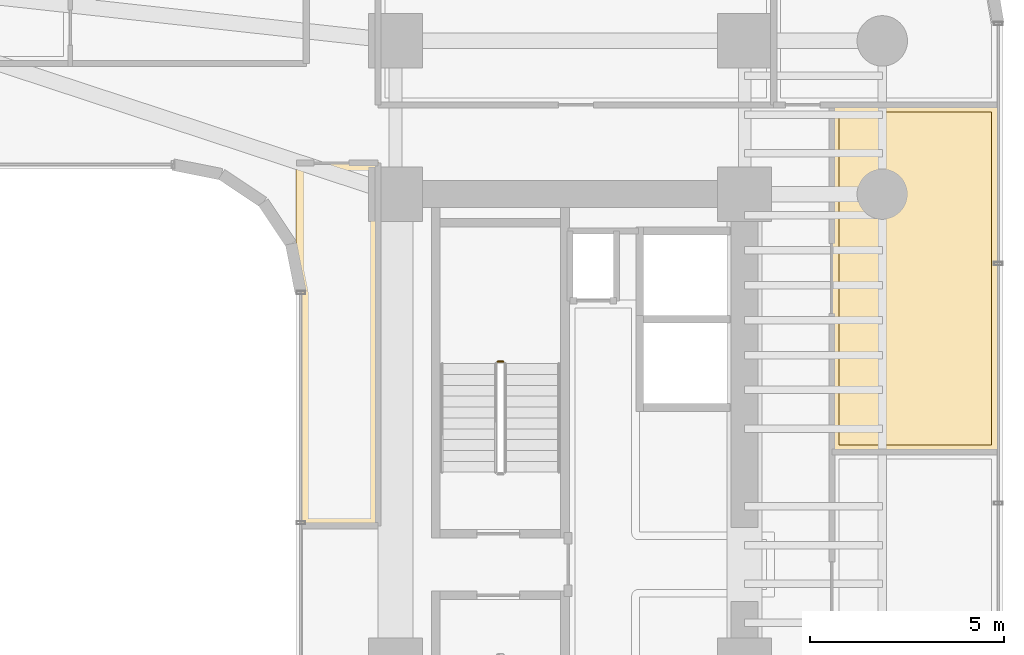
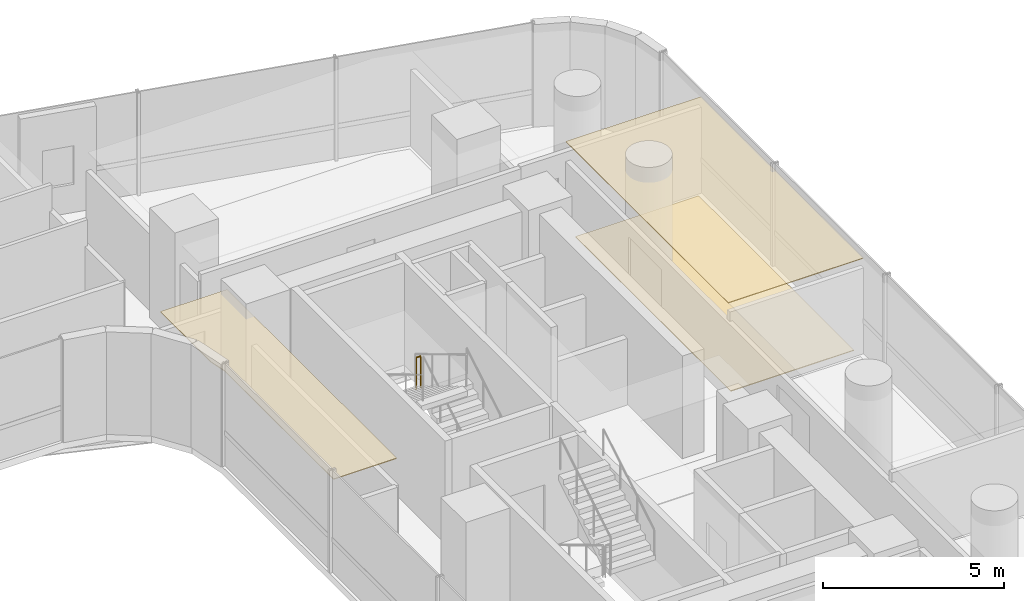
# One storey, part 39 of 41: 3 coverings, 1 railing.
"""IFC4 building model written with IfcOpenShell, lengths in metres."""

from ifc_helpers import new_model, si_unit, direction, frame, origin, origin_2d, place, context, subcontext, project, spatial, polyline, circle, outline, extrude, material, layer, layer_set, type_object, element, save


model = new_model("IFC4")

# Units and contexts
model_context = context("Model", 3, precision=1e-05, world=origin(), true_north=direction((0.0, 1.0)))
body_context = subcontext(model_context, "Body", "Model", "MODEL_VIEW")
ifc_project = project(units=[si_unit("LENGTHUNIT", "METRE"), si_unit("AREAUNIT", "SQUARE_METRE"), si_unit("VOLUMEUNIT", "CUBIC_METRE"), si_unit("PLANEANGLEUNIT", "RADIAN"), si_unit("MASSUNIT", "GRAM", prefix="KILO")], contexts=[model_context])

# Site, building, storey
site_placement = place(None, origin())
site = spatial("IfcSite", under=ifc_project, at=site_placement, CompositionType="ELEMENT")
building_placement = place(site_placement, origin())
building = spatial("IfcBuilding", under=site, at=building_placement, Name="Valdorenza Pilgrim Sanctuary Tower", CompositionType="ELEMENT")
storey_placement = place(building_placement, frame((0.0, 0.0, 59.300048828125)))
storey = spatial("IfcBuildingStorey", under=building, at=storey_placement, Name="L14", CompositionType="ELEMENT", Elevation=59.300048828125)

# Coverings
ifc_material_1 = material(Name="Micro-perforated acoustic mineral ceiling tile", Category="gypsum")
ifc_layer_1 = layer(ifc_material_1, 0.02490234375, Name="Micro-perforated acoustic mineral ceiling tile")
ifc_layer_set_1 = layer_set([ifc_layer_1], Name="Micro-perforated acoustic mineral ceiling tile")
covering_type_1 = type_object("IfcCoveringType", Name="COV-CLG-ACU", PredefinedType="CEILING", material=ifc_layer_set_1)
covering_1_placement = place(storey_placement, frame((0.0, 0.0, 3.159912109375)))
element("IfcCovering", 1, at=covering_1_placement, inside=storey, type_object=covering_type_1, Name="L14 East Reading Lounge L14-EB3 Acoustic Ceiling", PredefinedType="CEILING", context=body_context, shape_type="SweptSolid", body=[
    extrude(outline(polyline([(27.0849609375, 11.847900390625), (27.085205078125, 11.849609375), (27.085205078125, 11.850830078125), (27.085693359375, 11.852294921875), (27.086181640625, 11.853759765625), (27.0869140625, 11.85498046875), (27.08740234375, 11.856201171875), (27.08837890625, 11.857421875), (27.08935546875, 11.858642578125), (27.090576171875, 11.859619140625), (27.091796875, 11.860595703125), (27.093017578125, 11.861083984375), (27.09423828125, 11.86181640625), (27.095703125, 11.8623046875), (27.09716796875, 11.86279296875), (27.098388671875, 11.86279296875), (27.10009765625, 11.863037109375), (31.389892578125, 11.863037109375), (31.3916015625, 11.86279296875), (31.392822265625, 11.86279296875), (31.394287109375, 11.8623046875), (31.395751953125, 11.86181640625), (31.397216796875, 11.861083984375), (31.398193359375, 11.860595703125), (31.3994140625, 11.859619140625), (31.400634765625, 11.858642578125), (31.401611328125, 11.857421875), (31.402587890625, 11.856201171875), (31.4033203125, 11.85498046875), (31.40380859375, 11.853759765625), (31.404296875, 11.852294921875), (31.40478515625, 11.850830078125), (31.40478515625, 11.849609375), (31.405029296875, 11.847900390625), (31.405029296875, 2.902099609375), (31.40478515625, 2.900390625), (31.40478515625, 2.899169921875), (31.404296875, 2.897705078125), (31.40380859375, 2.896240234375), (31.4033203125, 2.89501953125), (31.402587890625, 2.893798828125), (31.401611328125, 2.892578125), (31.400634765625, 2.891357421875), (31.3994140625, 2.890380859375), (31.398193359375, 2.889404296875), (31.397216796875, 2.888916015625), (31.395751953125, 2.88818359375), (31.394287109375, 2.8876953125), (31.392822265625, 2.88720703125), (31.3916015625, 2.88720703125), (31.389892578125, 2.886962890625), (27.10009765625, 2.886962890625), (27.098388671875, 2.88720703125), (27.09716796875, 2.88720703125), (27.095703125, 2.8876953125), (27.09423828125, 2.88818359375), (27.093017578125, 2.888916015625), (27.091796875, 2.889404296875), (27.090576171875, 2.890380859375), (27.08935546875, 2.891357421875), (27.08837890625, 2.892578125), (27.08740234375, 2.893798828125), (27.0869140625, 2.89501953125), (27.086181640625, 2.896240234375), (27.085693359375, 2.897705078125), (27.085205078125, 2.899169921875), (27.085205078125, 2.900390625), (27.0849609375, 2.902099609375), (27.0849609375, 11.847900390625)])), origin(), (0.0, 0.0, 1.0), 0.025146484375),
])
covering_2_placement = place(storey_placement, frame((0.0, 0.0, 3.159912109375)))
element("IfcCovering", 2, at=covering_2_placement, inside=storey, type_object=covering_type_1, Name="L14 Courtyard Overlook Salon L14 Acoustic Ceiling", PredefinedType="CEILING", context=body_context, shape_type="SweptSolid", body=[
    extrude(outline(polyline([(15.39990234375, 10.364990234375), (15.401611328125, 10.364990234375), (15.40283203125, 10.36474609375), (15.404296875, 10.364501953125), (15.40576171875, 10.364013671875), (15.406982421875, 10.36328125), (15.408203125, 10.362548828125), (15.409423828125, 10.361572265625), (15.41064453125, 10.360595703125), (15.41162109375, 10.359619140625), (15.41259765625, 10.3583984375), (15.4130859375, 10.357177734375), (15.413818359375, 10.355712890625), (15.414306640625, 10.3544921875), (15.414794921875, 10.352783203125), (15.414794921875, 10.3515625), (15.4150390625, 10.35009765625), (15.4150390625, 1.0), (15.414794921875, 0.99853515625), (15.414794921875, 0.9970703125), (15.414306640625, 0.99560546875), (15.413818359375, 0.994384765625), (15.4130859375, 0.992919921875), (15.41259765625, 0.99169921875), (15.41162109375, 0.990478515625), (15.41064453125, 0.989501953125), (15.409423828125, 0.98828125), (15.408203125, 0.987548828125), (15.406982421875, 0.98681640625), (15.40576171875, 0.986083984375), (15.404296875, 0.985595703125), (15.40283203125, 0.9853515625), (15.401611328125, 0.985107421875), (15.39990234375, 0.985107421875), (13.409912109375, 0.985107421875), (13.408447265625, 0.985107421875), (13.406982421875, 0.9853515625), (13.405517578125, 0.985595703125), (13.404296875, 0.986083984375), (13.40283203125, 0.98681640625), (13.401611328125, 0.987548828125), (13.400390625, 0.98828125), (13.3994140625, 0.989501953125), (13.3984375, 0.990478515625), (13.3974609375, 0.99169921875), (13.396728515625, 0.992919921875), (13.39599609375, 0.994384765625), (13.3955078125, 0.99560546875), (13.395263671875, 0.9970703125), (13.39501953125, 0.99853515625), (13.39501953125, 1.0), (13.39501953125, 6.99951171875), (13.39453125, 7.00927734375), (13.39306640625, 7.018798828125), (13.285400390625, 7.560791015625), (13.28515625, 7.562255859375), (13.284912109375, 7.563720703125), (13.284912109375, 10.35009765625), (13.28515625, 10.3515625), (13.285400390625, 10.352783203125), (13.28564453125, 10.3544921875), (13.2861328125, 10.355712890625), (13.286865234375, 10.357177734375), (13.28759765625, 10.3583984375), (13.288330078125, 10.359619140625), (13.289306640625, 10.360595703125), (13.29052734375, 10.361572265625), (13.291748046875, 10.362548828125), (13.29296875, 10.36328125), (13.294189453125, 10.364013671875), (13.295654296875, 10.364501953125), (13.297119140625, 10.36474609375), (13.298583984375, 10.364990234375), (13.300048828125, 10.364990234375), (15.39990234375, 10.364990234375)])), origin(), (0.0, 0.0, 1.0), 0.025146484375),
])
ifc_material_2 = material(Name="Honed travertine stone flooring", Category="masonry")
ifc_layer_2 = layer(ifc_material_2, 0.030029296875, Name="Honed travertine stone flooring")
ifc_layer_set_2 = layer_set([ifc_layer_2], Name="Honed travertine stone flooring")
covering_type_2 = type_object("IfcCoveringType", Name="COV-FLR-TRV", PredefinedType="FLOORING", material=ifc_layer_set_2)
covering_3_placement = place(storey_placement, origin())
element("IfcCovering", 3, at=covering_3_placement, inside=storey, type_object=covering_type_2, Name="L14 East Reading Lounge L14-EB3 Flooring", PredefinedType="FLOORING", context=body_context, shape_type="SweptSolid", body=[
    extrude(outline(polyline([(27.280029296875, 11.66796875), (31.2099609375, 11.66796875), (31.2099609375, 3.08203125), (27.280029296875, 3.08203125), (27.280029296875, 11.66796875)])), origin(), (0.0, 0.0, 1.0), 0.02490234375),
])

# Railing
ifc_material_3 = material(Name="Stainless steel Grade 316", Category="steel")
railing_type = type_object("IfcRailingType", Name="RLG-GRD-1120", PredefinedType="GUARDRAIL", material=ifc_material_3)
railing_placement = place(storey_placement, frame((18.6298828125, 5.22998046875, 1.849853515625)))
element("IfcRailing", 4, at=railing_placement, inside=storey, type_object=railing_type, Name="L14 ST-B1 stair guard 2", PredefinedType="GUARDRAIL", context=body_context, shape_type="SweptSolid", body=[
    extrude(circle(Radius=0.02392578125, at=origin_2d()), frame((0.0, 0.0, 1.076171875), z_axis=(-1.0, 0.0, 0.0), x_axis=(0.0, -1.0, 0.0)), (0.0, 0.0, 1.0), 0.14990234375),
    extrude(circle(Radius=0.02099609375, at=origin_2d()), origin(), (0.0, 0.0, 1.0), 1.052001953125),
    extrude(circle(Radius=0.02099609375, at=origin_2d()), frame((-0.14990234375, 0.0, 0.0)), (0.0, 0.0, 1.0), 1.052001953125),
])

save(model, "model.ifc")
